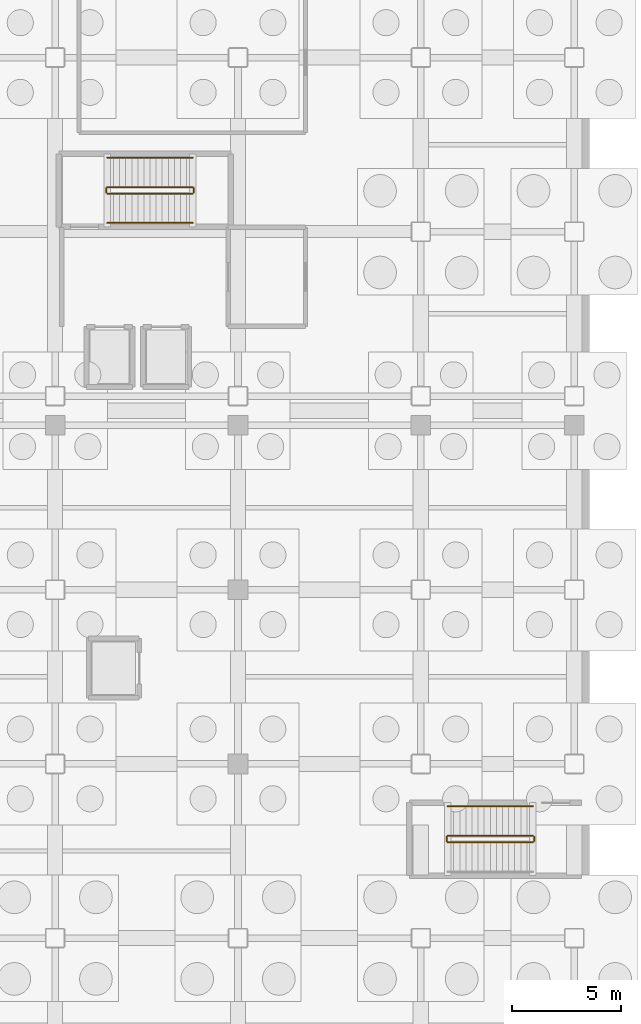
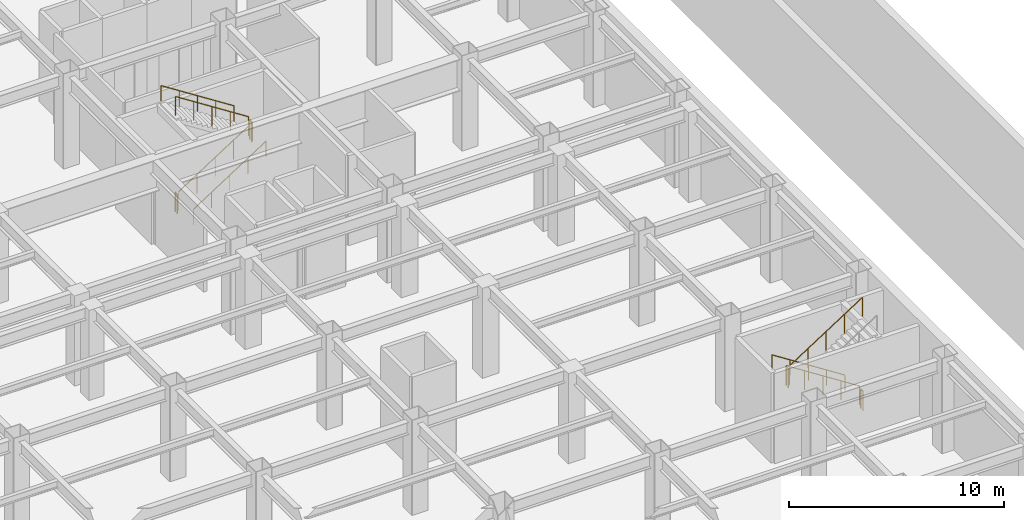
# One storey, part 51 of 55: 11 railings.
"""IFC4 building model written with IfcOpenShell, lengths in metres."""

from ifc_helpers import new_model, si_unit, direction, frame, origin, origin_2d, place, context, subcontext, project, spatial, circle, extrude, material, type_object, element, save


model = new_model("IFC4")

# Units and contexts
model_context = context("Model", 3, precision=1e-05, world=origin(), true_north=direction((0.0, 1.0)))
body_context = subcontext(model_context, "Body", "Model", "MODEL_VIEW")
ifc_project = project(units=[si_unit("LENGTHUNIT", "METRE"), si_unit("AREAUNIT", "SQUARE_METRE"), si_unit("VOLUMEUNIT", "CUBIC_METRE"), si_unit("PLANEANGLEUNIT", "RADIAN"), si_unit("MASSUNIT", "GRAM", prefix="KILO")], contexts=[model_context])

# Site, building, storey
site_placement = place(None, origin())
site = spatial("IfcSite", under=ifc_project, at=site_placement, CompositionType="ELEMENT")
building_placement = place(site_placement, origin())
building = spatial("IfcBuilding", under=site, at=building_placement, Name="Kazehara Bluff Congress Hotel", CompositionType="ELEMENT")
storey_placement = place(building_placement, frame((0.0, 0.0, -5.39990234375)))
storey = spatial("IfcBuildingStorey", under=building, at=storey_placement, Name="B1", CompositionType="ELEMENT", Elevation=-5.39990234375)

# Railings
ifc_material_1 = material(Name="Brushed stainless steel", Category="steel")
railing_type_1 = type_object("IfcRailingType", Name="TP-GRD-INT", PredefinedType="GUARDRAIL", material=ifc_material_1)
railing_1_placement = place(storey_placement, frame((165.64990234375, 20.699951171875, 0.179931640625)))
element("IfcRailing", 1, at=railing_1_placement, inside=storey, type_object=railing_type_1, Name="B1 ST-10 stair guard 1", PredefinedType="GUARDRAIL", context=body_context, shape_type="SweptSolid", body=[
    extrude(circle(Radius=0.02392578125, at=origin_2d()), frame((0.0, 0.0, 1.076171875), z_axis=(-0.841171666519, 0.0, 0.540768182723), x_axis=(0.0, -1.0, 0.0)), (0.0, 0.0, 1.0), 4.66015625),
    extrude(circle(Radius=0.02099609375, at=origin_2d()), origin(), (0.0, 0.0, 1.0), 1.052001953125),
    extrude(circle(Radius=0.02099609375, at=origin_2d()), frame((-0.97998046875, 0.0, 0.6298828125)), (0.0, 0.0, 1.0), 1.052001953125),
    extrude(circle(Radius=0.02099609375, at=origin_2d()), frame((-1.9599609375, 0.0, 1.260009765625)), (0.0, 0.0, 1.0), 1.052001953125),
    extrude(circle(Radius=0.02099609375, at=origin_2d()), frame((-2.93994140625, 0.0, 1.89013671875)), (0.0, 0.0, 1.0), 1.052001953125),
    extrude(circle(Radius=0.02099609375, at=origin_2d()), frame((-3.919921875, 0.0, 2.52001953125)), (0.0, 0.0, 1.0), 1.052001953125),
])
railing_2_placement = place(storey_placement, frame((161.679931640625, 20.64990234375, 2.699951171875)))
element("IfcRailing", 2, at=railing_2_placement, inside=storey, type_object=railing_type_1, Name="B1 ST-10 stair guard 2", PredefinedType="GUARDRAIL", context=body_context, shape_type="SweptSolid", body=[
    extrude(circle(Radius=0.02392578125, at=origin_2d()), frame((0.0, 0.0, 1.076171875), z_axis=(0.0, -1.0, 0.0), x_axis=(1.0, 0.0, 0.0)), (0.0, 0.0, 1.0), 0.199951171875),
    extrude(circle(Radius=0.02099609375, at=origin_2d()), origin(), (0.0, 0.0, 1.0), 1.052001953125),
    extrude(circle(Radius=0.02099609375, at=origin_2d()), frame((0.0, -0.199951171875, 0.0)), (0.0, 0.0, 1.0), 1.052001953125),
])
railing_3_placement = place(storey_placement, frame((161.72998046875, 20.39990234375, 2.8798828125)))
element("IfcRailing", 3, at=railing_3_placement, inside=storey, type_object=railing_type_1, Name="B1 ST-10 stair guard 3", PredefinedType="GUARDRAIL", context=body_context, shape_type="SweptSolid", body=[
    extrude(circle(Radius=0.02392578125, at=origin_2d()), frame((0.0, 0.0, 1.076171875), z_axis=(0.841171666519, 0.0, 0.540768182723), x_axis=(0.0, 1.0, 0.0)), (0.0, 0.0, 1.0), 4.66015625),
    extrude(circle(Radius=0.02099609375, at=origin_2d()), origin(), (0.0, 0.0, 1.0), 1.052001953125),
    extrude(circle(Radius=0.02099609375, at=origin_2d()), frame((0.97998046875, 0.0, 0.6298828125)), (0.0, 0.0, 1.0), 1.052001953125),
    extrude(circle(Radius=0.02099609375, at=origin_2d()), frame((1.9599609375, 0.0, 1.260009765625)), (0.0, 0.0, 1.0), 1.052001953125),
    extrude(circle(Radius=0.02099609375, at=origin_2d()), frame((2.93994140625, 0.0, 1.89013671875)), (0.0, 0.0, 1.0), 1.052001953125),
    extrude(circle(Radius=0.02099609375, at=origin_2d()), frame((3.919921875, 0.0, 2.52001953125)), (0.0, 0.0, 1.0), 1.052001953125),
])
railing_4_placement = place(storey_placement, frame((165.699951171875, 20.64990234375, 0.0)))
element("IfcRailing", 4, at=railing_4_placement, inside=storey, type_object=railing_type_1, Name="B1 ST-10 stair guard 4", PredefinedType="GUARDRAIL", context=body_context, shape_type="SweptSolid", body=[
    extrude(circle(Radius=0.02392578125, at=origin_2d()), frame((0.0, 0.0, 1.076171875), z_axis=(0.0, -1.0, 0.0), x_axis=(1.0, 0.0, 0.0)), (0.0, 0.0, 1.0), 0.199951171875),
    extrude(circle(Radius=0.02099609375, at=origin_2d()), origin(), (0.0, 0.0, 1.0), 1.052001953125),
    extrude(circle(Radius=0.02099609375, at=origin_2d()), frame((0.0, -0.199951171875, 0.0)), (0.0, 0.0, 1.0), 1.052001953125),
])
railing_5_placement = place(storey_placement, frame((146.10009765625, 50.199951171875, 0.179931640625)))
element("IfcRailing", 5, at=railing_5_placement, inside=storey, type_object=railing_type_1, Name="B1 ST-11 stair guard 1", PredefinedType="GUARDRAIL", context=body_context, shape_type="SweptSolid", body=[
    extrude(circle(Radius=0.02392578125, at=origin_2d()), frame((0.0, 0.0, 1.076171875), z_axis=(0.841171666519, 0.0, 0.540768182723), x_axis=(0.0, 1.0, 0.0)), (0.0, 0.0, 1.0), 4.66015625),
    extrude(circle(Radius=0.02099609375, at=origin_2d()), origin(), (0.0, 0.0, 1.0), 1.052001953125),
    extrude(circle(Radius=0.02099609375, at=origin_2d()), frame((0.97998046875, 0.0, 0.6298828125)), (0.0, 0.0, 1.0), 1.052001953125),
    extrude(circle(Radius=0.02099609375, at=origin_2d()), frame((1.9599609375, 0.0, 1.260009765625)), (0.0, 0.0, 1.0), 1.052001953125),
    extrude(circle(Radius=0.02099609375, at=origin_2d()), frame((2.93994140625, 0.0, 1.89013671875)), (0.0, 0.0, 1.0), 1.052001953125),
    extrude(circle(Radius=0.02099609375, at=origin_2d()), frame((3.919921875, 0.0, 2.52001953125)), (0.0, 0.0, 1.0), 1.052001953125),
])
railing_6_placement = place(storey_placement, frame((150.070068359375, 50.25, 2.699951171875)))
element("IfcRailing", 6, at=railing_6_placement, inside=storey, type_object=railing_type_1, Name="B1 ST-11 stair guard 2", PredefinedType="GUARDRAIL", context=body_context, shape_type="SweptSolid", body=[
    extrude(circle(Radius=0.02392578125, at=origin_2d()), frame((0.0, 0.0, 1.076171875), z_axis=(0.0, 1.0, 0.0), x_axis=(-1.0, 0.0, 0.0)), (0.0, 0.0, 1.0), 0.199951171875),
    extrude(circle(Radius=0.02099609375, at=origin_2d()), origin(), (0.0, 0.0, 1.0), 1.052001953125),
    extrude(circle(Radius=0.02099609375, at=origin_2d()), frame((0.0, 0.199951171875, 0.0)), (0.0, 0.0, 1.0), 1.052001953125),
])
railing_7_placement = place(storey_placement, frame((150.02001953125, 50.5, 2.8798828125)))
element("IfcRailing", 7, at=railing_7_placement, inside=storey, type_object=railing_type_1, Name="B1 ST-11 stair guard 3", PredefinedType="GUARDRAIL", context=body_context, shape_type="SweptSolid", body=[
    extrude(circle(Radius=0.02392578125, at=origin_2d()), frame((0.0, 0.0, 1.076171875), z_axis=(-0.841171666519, 0.0, 0.540768182723), x_axis=(0.0, -1.0, 0.0)), (0.0, 0.0, 1.0), 4.66015625),
    extrude(circle(Radius=0.02099609375, at=origin_2d()), origin(), (0.0, 0.0, 1.0), 1.052001953125),
    extrude(circle(Radius=0.02099609375, at=origin_2d()), frame((-0.97998046875, 0.0, 0.6298828125)), (0.0, 0.0, 1.0), 1.052001953125),
    extrude(circle(Radius=0.02099609375, at=origin_2d()), frame((-1.9599609375, 0.0, 1.260009765625)), (0.0, 0.0, 1.0), 1.052001953125),
    extrude(circle(Radius=0.02099609375, at=origin_2d()), frame((-2.93994140625, 0.0, 1.89013671875)), (0.0, 0.0, 1.0), 1.052001953125),
    extrude(circle(Radius=0.02099609375, at=origin_2d()), frame((-3.919921875, 0.0, 2.52001953125)), (0.0, 0.0, 1.0), 1.052001953125),
])
railing_8_placement = place(storey_placement, frame((146.050048828125, 50.25, 0.0)))
element("IfcRailing", 8, at=railing_8_placement, inside=storey, type_object=railing_type_1, Name="B1 ST-11 stair guard 4", PredefinedType="GUARDRAIL", context=body_context, shape_type="SweptSolid", body=[
    extrude(circle(Radius=0.02392578125, at=origin_2d()), frame((0.0, 0.0, 1.076171875), z_axis=(0.0, 1.0, 0.0), x_axis=(-1.0, 0.0, 0.0)), (0.0, 0.0, 1.0), 0.199951171875),
    extrude(circle(Radius=0.02099609375, at=origin_2d()), origin(), (0.0, 0.0, 1.0), 1.052001953125),
    extrude(circle(Radius=0.02099609375, at=origin_2d()), frame((0.0, 0.199951171875, 0.0)), (0.0, 0.0, 1.0), 1.052001953125),
])
ifc_material_2 = material(Name="Brushed stainless steel", Category="steel")
railing_type_2 = type_object("IfcRailingType", Name="TP-HR-INT", PredefinedType="HANDRAIL", material=ifc_material_2)
railing_9_placement = place(storey_placement, frame((165.64990234375, 22.050048828125, 0.179931640625)))
element("IfcRailing", 9, at=railing_9_placement, inside=storey, type_object=railing_type_2, Name="B1 ST-10 stair handrail 1", PredefinedType="HANDRAIL", context=body_context, shape_type="SweptSolid", body=[
    extrude(circle(Radius=0.02392578125, at=origin_2d()), frame((0.0, 0.0, 0.8759765625), z_axis=(-0.841171666519, 0.0, 0.540768182723), x_axis=(0.0, -1.0, 0.0)), (0.0, 0.0, 1.0), 4.66015625),
    extrude(circle(Radius=0.02099609375, at=origin_2d()), origin(), (0.0, 0.0, 1.0), 0.851806640625),
    extrude(circle(Radius=0.02099609375, at=origin_2d()), frame((-0.97998046875, 0.0, 0.6298828125)), (0.0, 0.0, 1.0), 0.851806640625),
    extrude(circle(Radius=0.02099609375, at=origin_2d()), frame((-1.9599609375, 0.0, 1.260009765625)), (0.0, 0.0, 1.0), 0.851806640625),
    extrude(circle(Radius=0.02099609375, at=origin_2d()), frame((-2.93994140625, 0.0, 1.89013671875)), (0.0, 0.0, 1.0), 0.851806640625),
    extrude(circle(Radius=0.02099609375, at=origin_2d()), frame((-3.919921875, 0.0, 2.52001953125)), (0.0, 0.0, 1.0), 0.851806640625),
])
railing_10_placement = place(storey_placement, frame((146.10009765625, 48.85009765625, 0.179931640625)))
element("IfcRailing", 10, at=railing_10_placement, inside=storey, type_object=railing_type_2, Name="B1 ST-11 stair handrail 1", PredefinedType="HANDRAIL", context=body_context, shape_type="SweptSolid", body=[
    extrude(circle(Radius=0.02392578125, at=origin_2d()), frame((0.0, 0.0, 0.8759765625), z_axis=(0.841171666519, 0.0, 0.540768182723), x_axis=(0.0, 1.0, 0.0)), (0.0, 0.0, 1.0), 4.66015625),
    extrude(circle(Radius=0.02099609375, at=origin_2d()), origin(), (0.0, 0.0, 1.0), 0.851806640625),
    extrude(circle(Radius=0.02099609375, at=origin_2d()), frame((0.97998046875, 0.0, 0.6298828125)), (0.0, 0.0, 1.0), 0.851806640625),
    extrude(circle(Radius=0.02099609375, at=origin_2d()), frame((1.9599609375, 0.0, 1.260009765625)), (0.0, 0.0, 1.0), 0.851806640625),
    extrude(circle(Radius=0.02099609375, at=origin_2d()), frame((2.93994140625, 0.0, 1.89013671875)), (0.0, 0.0, 1.0), 0.851806640625),
    extrude(circle(Radius=0.02099609375, at=origin_2d()), frame((3.919921875, 0.0, 2.52001953125)), (0.0, 0.0, 1.0), 0.851806640625),
])
railing_11_placement = place(storey_placement, frame((150.02001953125, 51.85009765625, 2.8798828125)))
element("IfcRailing", 11, at=railing_11_placement, inside=storey, type_object=railing_type_2, Name="B1 ST-11 stair handrail 2", PredefinedType="HANDRAIL", context=body_context, shape_type="SweptSolid", body=[
    extrude(circle(Radius=0.02392578125, at=origin_2d()), frame((0.0, 0.0, 0.8759765625), z_axis=(-0.841171666519, 0.0, 0.540768182723), x_axis=(0.0, -1.0, 0.0)), (0.0, 0.0, 1.0), 4.66015625),
    extrude(circle(Radius=0.02099609375, at=origin_2d()), origin(), (0.0, 0.0, 1.0), 0.851806640625),
    extrude(circle(Radius=0.02099609375, at=origin_2d()), frame((-0.97998046875, 0.0, 0.6298828125)), (0.0, 0.0, 1.0), 0.851806640625),
    extrude(circle(Radius=0.02099609375, at=origin_2d()), frame((-1.9599609375, 0.0, 1.260009765625)), (0.0, 0.0, 1.0), 0.851806640625),
    extrude(circle(Radius=0.02099609375, at=origin_2d()), frame((-2.93994140625, 0.0, 1.89013671875)), (0.0, 0.0, 1.0), 0.851806640625),
    extrude(circle(Radius=0.02099609375, at=origin_2d()), frame((-3.919921875, 0.0, 2.52001953125)), (0.0, 0.0, 1.0), 0.851806640625),
])

save(model, "model.ifc")
